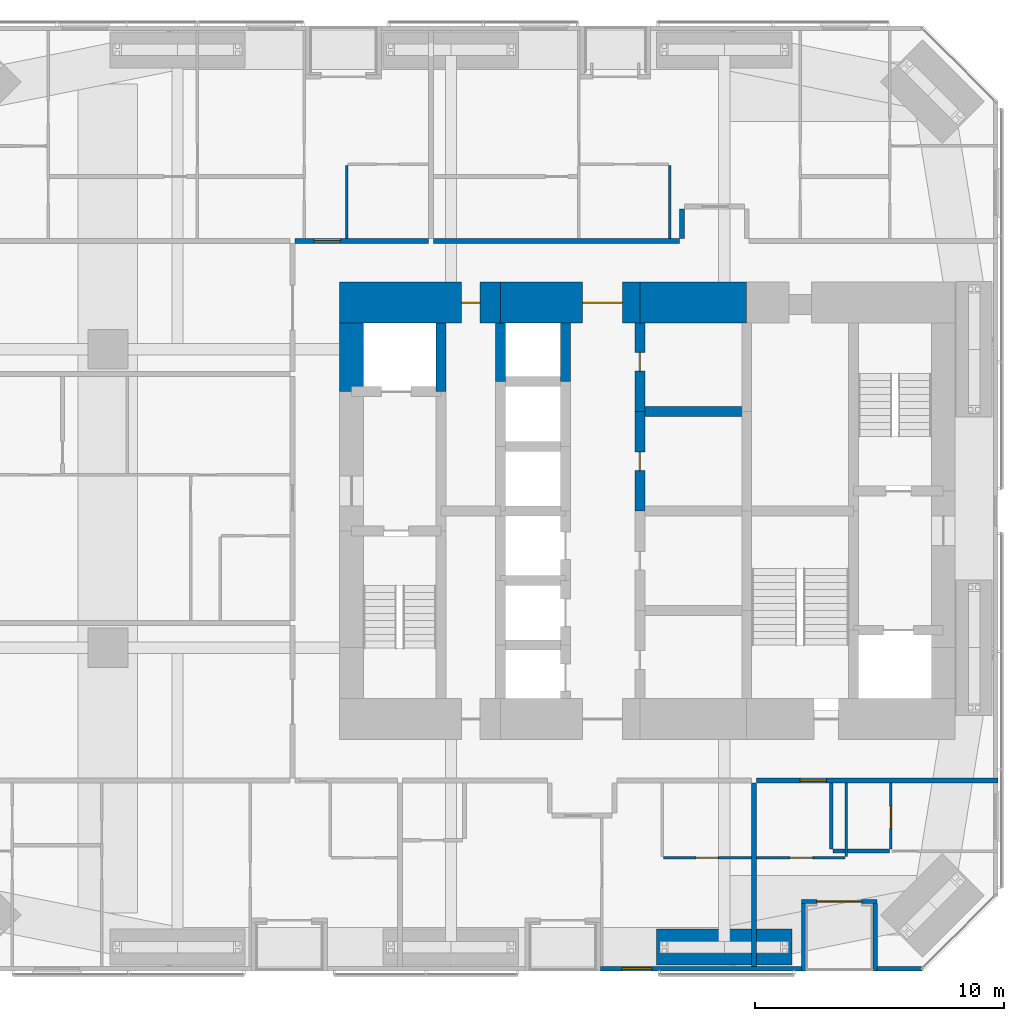
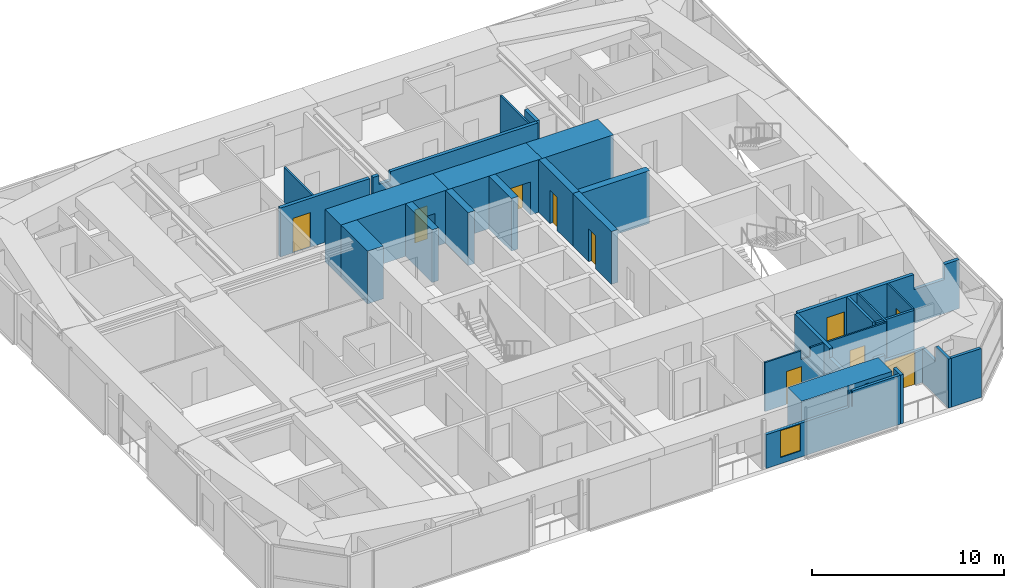
# One storey, part 19 of 23: 30 walls, 10 doors, 1 window, 11 openings.
"""IFC4 building model written with IfcOpenShell, lengths in metres."""

from ifc_helpers import new_model, si_unit, direction, frame, frame_2d, origin, place, context, subcontext, project, spatial, polyline, rectangle, outline, extrude, material, layer, layer_set, constituent, constituent_set, type_object, element, fill, save


model = new_model("IFC4")

# Units and contexts
model_context = context("Model", 3, precision=1e-05, world=origin(), true_north=direction((0.0, 1.0)))
body_context = subcontext(model_context, "Body", "Model", "MODEL_VIEW")
ifc_project = project(units=[si_unit("LENGTHUNIT", "METRE"), si_unit("AREAUNIT", "SQUARE_METRE"), si_unit("VOLUMEUNIT", "CUBIC_METRE"), si_unit("PLANEANGLEUNIT", "RADIAN"), si_unit("MASSUNIT", "GRAM", prefix="KILO")], contexts=[model_context])

# Site, building, storey
site_placement = place(None, origin())
site = spatial("IfcSite", under=ifc_project, at=site_placement, CompositionType="ELEMENT")
building_placement = place(site_placement, origin())
building = spatial("IfcBuilding", under=site, at=building_placement, Name="Jalousie Tower", CompositionType="ELEMENT")
storey_placement = place(building_placement, frame((0.0, 0.0, 41.10009765625)))
storey = spatial("IfcBuildingStorey", under=building, at=storey_placement, Name="L10", CompositionType="ELEMENT", Elevation=41.10009765625)

# Walls
ifc_material_1 = material(Name="Concrete block ASTM C90", Category="concrete")
ifc_constituent_1 = constituent(ifc_material_1, Name="Body")
ifc_material_2 = material(Name="Render")
ifc_constituent_2 = constituent(ifc_material_2, Name="Finish")
ifc_constituent_set_1 = constituent_set(constituents=[ifc_constituent_1, ifc_constituent_2])
wall_type_1 = type_object("IfcWallType", Name="BATHROOM WALL 150", PredefinedType="PLUMBINGWALL", material=ifc_constituent_set_1)
wall_1_placement = place(storey_placement, frame((39.375, 4.8173828125, 0.0), z_axis=(0.0, 0.0, 1.0), x_axis=(1.0, 0.0, 0.0)))
element("IfcWall", 1, at=wall_1_placement, inside=storey, type_object=wall_type_1, Name="Bathroom Wall 150 L10", PredefinedType="PLUMBINGWALL", context=body_context, shape_type="SweptSolid", body=[
    extrude(rectangle(XDim=2.27490234375, YDim=0.14990234375, at=frame_2d((1.137451171875, 0.0))), origin(), (0.0, 0.0, 1.0), 3.10986328125),
])
wall_2_placement = place(storey_placement, frame((39.300048828125, 4.892333984375, 0.0), z_axis=(0.0, 0.0, 1.0), x_axis=(0.0, 1.0, 0.0)))
element("IfcWall", 2, at=wall_2_placement, inside=storey, type_object=wall_type_1, Name="Bathroom Wall 150 L10", PredefinedType="PLUMBINGWALL", context=body_context, shape_type="SweptSolid", body=[
    extrude(rectangle(XDim=2.65771484375, YDim=0.14990234375, at=frame_2d((1.328857421875, 0.0))), origin(), (0.0, 0.0, 1.0), 3.10986328125),
])
ifc_material_3 = material(Name="Concrete f'c 120 MPa", Category="concrete")
ifc_layer_1 = layer(ifc_material_3, 1.64990234375)
ifc_layer_set_1 = layer_set([ifc_layer_1], Name="Concrete f'c 120 MPa")
wall_type_2 = type_object("IfcWallType", Name="CORE WALL 1650", PredefinedType="SHEAR", material=ifc_layer_set_1)
wall_3_placement = place(storey_placement, frame((35.89990234375, 26.875, 0.0), z_axis=(0.0, 0.0, 1.0), x_axis=(-1.0, 0.0, 0.0)))
element("IfcWall", 3, at=wall_3_placement, inside=storey, type_object=wall_type_2, Name="Core wall NB L10", PredefinedType="SHEAR", context=body_context, shape_type="SweptSolid", body=[
    extrude(rectangle(XDim=4.2998046875, YDim=1.64990234375, at=frame_2d((2.14990234375, 0.0))), origin(), (0.0, 0.0, 1.0), 3.349853515625),
])

# Wall, opening, door
wall_4_placement = place(storey_placement, frame((31.60009765625, 26.875, 0.0), z_axis=(0.0, 0.0, 1.0), x_axis=(-1.0, 0.0, 0.0)))
wall_4 = element("IfcWall", 4, at=wall_4_placement, inside=storey, type_object=wall_type_2, Name="Core wall NC L10", PredefinedType="SHEAR", context=body_context, shape_type="SweptSolid", body=[
    extrude(rectangle(XDim=5.60009765625, YDim=1.64990234375, at=frame_2d((2.800048828125, 0.0))), origin(), (0.0, 0.0, 1.0), 3.349853515625),
])
opening_1_placement = place(wall_4_placement, frame((0.699951171875, 0.0, 0.0)))
opening_1 = element("IfcOpeningElement", 5, at=opening_1_placement, cuts=wall_4, Name="Opening D15", PredefinedType="OPENING", context=body_context, shape_type="SweptSolid", body=[
    extrude(rectangle(XDim=1.60009765625, YDim=2.10009765625, at=frame_2d((0.800048828125, 1.050048828125))), frame((0.0, 0.8349609375, 0.0), z_axis=(0.0, -1.0, 0.0), x_axis=(1.0, 0.0, 0.0)), (0.0, 0.0, 1.0), 1.669921875),
])
ifc_material_4 = material(Name="Steel fire door", Category="steel")
door_type_1 = type_object("IfcDoorType", Name="LIFT LOBBY DOOR 1600", OperationType="DOUBLE_DOOR_SINGLE_SWING", PredefinedType="DOOR", material=ifc_material_4)
door_1_placement = place(opening_1_placement, origin())
door_1 = element("IfcDoor", 6, at=door_1_placement, inside=storey, type_object=door_type_1, Name="Lift lobby north door", OperationType="DOUBLE_DOOR_SINGLE_SWING", OverallHeight=2.10009765625, OverallWidth=1.60009765625, PredefinedType="DOOR", context=body_context, shape_type="SweptSolid", body=[
    extrude(rectangle(XDim=1.60009765625, YDim=2.10009765625, at=frame_2d((0.800048828125, 1.050048828125))), frame((0.0, 0.02490234375, 0.0), z_axis=(0.0, -1.0, 0.0), x_axis=(1.0, 0.0, 0.0)), (0.0, 0.0, 1.0), 0.050048828125),
])
fill(opening_1, door_1)

wall_5_placement = place(storey_placement, frame((26.0, 26.875, 0.0), z_axis=(0.0, 0.0, 1.0), x_axis=(-1.0, 0.0, 0.0)))
wall_5 = element("IfcWall", 7, at=wall_5_placement, inside=storey, type_object=wall_type_2, Name="Core wall ND L10", PredefinedType="SHEAR", context=body_context, shape_type="SweptSolid", body=[
    extrude(rectangle(XDim=6.47509765625, YDim=1.64990234375, at=frame_2d((3.237548828125, 0.0))), origin(), (0.0, 0.0, 1.0), 3.349853515625),
])
opening_2_placement = place(wall_5_placement, frame((0.824951171875, 0.0, 0.0)))
opening_2 = element("IfcOpeningElement", 8, at=opening_2_placement, cuts=wall_5, Name="Opening D16", PredefinedType="OPENING", context=body_context, shape_type="SweptSolid", body=[
    extrude(rectangle(XDim=0.75, YDim=2.10009765625, at=frame_2d((0.375, 1.050048828125))), frame((0.0, 0.8349609375, 0.0), z_axis=(0.0, -1.0, 0.0), x_axis=(1.0, 0.0, 0.0)), (0.0, 0.0, 1.0), 1.669921875),
])
ifc_material_5 = material(Name="Steel fire door", Category="steel")
door_type_2 = type_object("IfcDoorType", Name="RISER DOOR 750", OperationType="SINGLE_SWING_LEFT", PredefinedType="DOOR", material=ifc_material_5)
door_2_placement = place(opening_2_placement, origin())
door_2 = element("IfcDoor", 9, at=door_2_placement, inside=storey, type_object=door_type_2, Name="North riser door", OperationType="SINGLE_SWING_RIGHT", OverallHeight=2.10009765625, OverallWidth=0.75, PredefinedType="DOOR", context=body_context, shape_type="SweptSolid", body=[
    extrude(rectangle(XDim=0.75, YDim=2.10009765625, at=frame_2d((0.375, 1.050048828125))), frame((0.0, 0.02490234375, 0.0), z_axis=(0.0, -1.0, 0.0), x_axis=(1.0, 0.0, 0.0)), (0.0, 0.0, 1.0), 0.050048828125),
])
fill(opening_2, door_2)

# Walls
ifc_material_6 = material(Name="Concrete f'c 120 MPa", Category="concrete")
ifc_layer_2 = layer(ifc_material_6, 0.39990234375)
ifc_layer_set_2 = layer_set([ifc_layer_2], Name="Concrete f'c 120 MPa")
wall_type_3 = type_object("IfcWallType", Name="CORE WALL 400", PredefinedType="SHEAR", material=ifc_layer_set_2)
wall_6_placement = place(storey_placement, frame((23.60009765625, 23.300048828125, 0.0), z_axis=(0.0, 0.0, 1.0), x_axis=(0.0, 1.0, 0.0)))
element("IfcWall", 10, at=wall_6_placement, inside=storey, type_object=wall_type_3, Name="Core wall X23.6C L10", PredefinedType="SHEAR", context=body_context, shape_type="SweptSolid", body=[
    extrude(rectangle(XDim=2.75, YDim=0.39990234375, at=frame_2d((1.375, 0.0))), origin(), (0.0, 0.0, 1.0), 3.349853515625),
])
for number, where, z_axis, x_axis, name in (
    (11, (26.0, 23.699951171875, 0.0), (0.0, 0.0, 1.0), (0.0, 1.0, 0.0), "Core wall X26F L10"),
    (12, (28.60009765625, 23.699951171875, 0.0), (0.0, 0.0, 1.0), (0.0, 1.0, 0.0), "Core wall X28.6F L10"),
):
    element("IfcWall", number, at=place(storey_placement, frame(where, z_axis=z_axis, x_axis=x_axis)), inside=storey, type_object=wall_type_3, Name=name, PredefinedType="SHEAR", context=body_context, shape_type="SweptSolid", body=[
        extrude(rectangle(XDim=2.35009765625, YDim=0.39990234375, at=frame_2d((1.175048828125, 0.0))), origin(), (0.0, 0.0, 1.0), 3.349853515625),
    ])

# Wall, opening, door
wall_7_placement = place(storey_placement, frame((31.60009765625, 18.5, 0.0), z_axis=(0.0, 0.0, 1.0), x_axis=(0.0, 1.0, 0.0)))
wall_7 = element("IfcWall", 13, at=wall_7_placement, inside=storey, type_object=wall_type_3, Name="Core wall X31.6C L10", PredefinedType="SHEAR", context=body_context, shape_type="SweptSolid", body=[
    extrude(rectangle(XDim=4.0, YDim=0.39990234375, at=frame_2d((2.0, 0.0))), origin(), (0.0, 0.0, 1.0), 3.349853515625),
])
opening_3_placement = place(wall_7_placement, frame((1.625, 0.0, 0.0)))
opening_3 = element("IfcOpeningElement", 14, at=opening_3_placement, cuts=wall_7, Name="Opening D16", PredefinedType="OPENING", context=body_context, shape_type="SweptSolid", body=[
    extrude(rectangle(XDim=0.75, YDim=2.10009765625, at=frame_2d((0.375, 1.050048828125))), frame((0.0, 0.2099609375, 0.0), z_axis=(0.0, -1.0, 0.0), x_axis=(1.0, 0.0, 0.0)), (0.0, 0.0, 1.0), 0.419921875),
])
door_3_placement = place(opening_3_placement, frame((0.75, 0.0, 0.0), z_axis=(0.0, 0.0, 1.0), x_axis=(-1.0, 0.0, 0.0)))
door_3 = element("IfcDoor", 15, at=door_3_placement, inside=storey, type_object=door_type_2, Name="Telecom Room door", OperationType="SINGLE_SWING_LEFT", OverallHeight=2.10009765625, OverallWidth=0.75, PredefinedType="DOOR", context=body_context, shape_type="SweptSolid", body=[
    extrude(rectangle(XDim=0.75, YDim=2.10009765625, at=frame_2d((0.375, 1.050048828125))), frame((0.0, 0.02490234375, 0.0), z_axis=(0.0, -1.0, 0.0), x_axis=(1.0, 0.0, 0.0)), (0.0, 0.0, 1.0), 0.050048828125),
])
fill(opening_3, door_3)

wall_8_placement = place(storey_placement, frame((31.60009765625, 22.5, 0.0), z_axis=(0.0, 0.0, 1.0), x_axis=(0.0, 1.0, 0.0)))
wall_8 = element("IfcWall", 16, at=wall_8_placement, inside=storey, type_object=wall_type_3, Name="Core wall X31.6D L10", PredefinedType="SHEAR", context=body_context, shape_type="SweptSolid", body=[
    extrude(rectangle(XDim=3.550048828125, YDim=0.39990234375, at=frame_2d((1.77490234375, 0.0))), origin(), (0.0, 0.0, 1.0), 3.349853515625),
])
opening_4_placement = place(wall_8_placement, frame((1.625, 0.0, 0.0)))
opening_4 = element("IfcOpeningElement", 17, at=opening_4_placement, cuts=wall_8, Name="Opening D16", PredefinedType="OPENING", context=body_context, shape_type="SweptSolid", body=[
    extrude(rectangle(XDim=0.75, YDim=2.10009765625, at=frame_2d((0.375, 1.050048828125))), frame((0.0, 0.2099609375, 0.0), z_axis=(0.0, -1.0, 0.0), x_axis=(1.0, 0.0, 0.0)), (0.0, 0.0, 1.0), 0.419921875),
])
door_4_placement = place(opening_4_placement, frame((0.75, 0.0, 0.0), z_axis=(0.0, 0.0, 1.0), x_axis=(-1.0, 0.0, 0.0)))
door_4 = element("IfcDoor", 18, at=door_4_placement, inside=storey, type_object=door_type_2, Name="Water Services Room door", OperationType="SINGLE_SWING_LEFT", OverallHeight=2.10009765625, OverallWidth=0.75, PredefinedType="DOOR", context=body_context, shape_type="SweptSolid", body=[
    extrude(rectangle(XDim=0.75, YDim=2.10009765625, at=frame_2d((0.375, 1.050048828125))), frame((0.0, 0.02490234375, 0.0), z_axis=(0.0, -1.0, 0.0), x_axis=(1.0, 0.0, 0.0)), (0.0, 0.0, 1.0), 0.050048828125),
])
fill(opening_4, door_4)

# Walls
wall_9_placement = place(storey_placement, frame((31.60009765625, 22.5, 0.0), z_axis=(0.0, 0.0, 1.0), x_axis=(1.0, 0.0, 0.0)))
element("IfcWall", 19, at=wall_9_placement, inside=storey, type_object=wall_type_3, Name="Core wall Y31.6-22.5 L10", PredefinedType="SHEAR", context=body_context, shape_type="SweptSolid", body=[
    extrude(rectangle(XDim=4.2998046875, YDim=0.39990234375, at=frame_2d((2.14990234375, 0.0))), origin(), (0.0, 0.0, 1.0), 3.349853515625),
])
ifc_material_7 = material(Name="Concrete f'c 120 MPa", Category="concrete")
ifc_layer_3 = layer(ifc_material_7, 0.949951171875)
ifc_layer_set_3 = layer_set([ifc_layer_3], Name="Concrete f'c 120 MPa")
wall_type_4 = type_object("IfcWallType", Name="CORE WALL 950", PredefinedType="SHEAR", material=ifc_layer_set_3)
wall_10_placement = place(storey_placement, frame((20.0, 26.050048828125, 0.0), z_axis=(0.0, 0.0, 1.0), x_axis=(0.0, -1.0, 0.0)))
element("IfcWall", 20, at=wall_10_placement, inside=storey, type_object=wall_type_4, Name="Core wall WA L10", PredefinedType="SHEAR", context=body_context, shape_type="SweptSolid", body=[
    extrude(rectangle(XDim=2.75, YDim=0.949951171875, at=frame_2d((1.375, 0.0))), origin(), (0.0, 0.0, 1.0), 3.349853515625),
])

# Wall, opening, door
ifc_material_8 = material(Name="Concrete block ASTM C90", Category="concrete")
ifc_constituent_3 = constituent(ifc_material_8, Name="Body")
ifc_material_9 = material(Name="Render")
ifc_constituent_4 = constituent(ifc_material_9, Name="Finish")
ifc_constituent_set_2 = constituent_set(constituents=[ifc_constituent_3, ifc_constituent_4])
wall_type_5 = type_object("IfcWallType", Name="CORRIDOR WALL 200", PredefinedType="PARTITIONING", material=ifc_constituent_set_2)
wall_11_placement = place(storey_placement, frame((36.300048828125, 7.64990234375, 0.0), z_axis=(0.0, 0.0, 1.0), x_axis=(1.0, 0.0, 0.0)))
wall_11 = element("IfcWall", 21, at=wall_11_placement, inside=storey, type_object=wall_type_5, Name="Corridor Wall 200 L10", PredefinedType="PARTITIONING", context=body_context, shape_type="SweptSolid", body=[
    extrude(outline(polyline([(0.0, 0.0), (9.699951171875, 0.0), (9.699951171875, 3.10986328125), (8.80419921875, 3.10986328125), (8.80419921875, 2.14990234375), (6.96044921875, 2.14990234375), (6.96044921875, 3.10986328125), (0.0, 3.10986328125), (0.0, 0.0)])), frame((0.0, 0.10009765625, 0.0), z_axis=(0.0, -1.0, 0.0), x_axis=(1.0, 0.0, 0.0)), (0.0, 0.0, 1.0), 0.199951171875),
])
opening_5_placement = place(wall_11_placement, frame((1.75, 0.0, 0.0)))
opening_5 = element("IfcOpeningElement", 22, at=opening_5_placement, cuts=wall_11, Name="Opening D1", PredefinedType="OPENING", context=body_context, shape_type="SweptSolid", body=[
    extrude(rectangle(XDim=1.050048828125, YDim=2.199951171875, at=frame_2d((0.52490234375, 1.10009765625))), frame((0.0, 0.10986328125, 0.0), z_axis=(0.0, -1.0, 0.0), x_axis=(1.0, 0.0, 0.0)), (0.0, 0.0, 1.0), 0.219970703125),
])
ifc_material_10 = material(Name="Timber fire door", Category="wood")
door_type_3 = type_object("IfcDoorType", Name="APARTMENT ENTRANCE DOOR 1050", OperationType="SINGLE_SWING_LEFT", PredefinedType="DOOR", material=ifc_material_10)
door_5_placement = place(opening_5_placement, frame((1.050048828125, 0.0, 0.0), z_axis=(0.0, 0.0, 1.0), x_axis=(-1.0, 0.0, 0.0)))
door_5 = element("IfcDoor", 23, at=door_5_placement, inside=storey, type_object=door_type_3, Name="Apartment 1003 entrance", OperationType="SINGLE_SWING_LEFT", OverallHeight=2.199951171875, OverallWidth=1.050048828125, PredefinedType="DOOR", context=body_context, shape_type="SweptSolid", body=[
    extrude(rectangle(XDim=1.050048828125, YDim=2.199951171875, at=frame_2d((0.52490234375, 1.10009765625))), frame((0.0, 0.02490234375, 0.0), z_axis=(0.0, -1.0, 0.0), x_axis=(1.0, 0.0, 0.0)), (0.0, 0.0, 1.0), 0.050048828125),
])
fill(opening_5, door_5)

wall_12_placement = place(storey_placement, frame((17.72509765625, 29.35009765625, 0.0), z_axis=(0.0, 0.0, 1.0), x_axis=(1.0, 0.0, 0.0)))
wall_12 = element("IfcWall", 24, at=wall_12_placement, inside=storey, type_object=wall_type_5, Name="Corridor Wall 200 L10", PredefinedType="PARTITIONING", context=body_context, shape_type="SweptSolid", body=[
    extrude(rectangle(XDim=5.375, YDim=0.199951171875, at=frame_2d((2.6875, 0.0))), origin(), (0.0, 0.0, 1.0), 3.10986328125),
])
opening_6_placement = place(wall_12_placement, frame((0.77490234375, 0.0, 0.0)))
opening_6 = element("IfcOpeningElement", 25, at=opening_6_placement, cuts=wall_12, Name="Opening D1", PredefinedType="OPENING", context=body_context, shape_type="SweptSolid", body=[
    extrude(rectangle(XDim=1.050048828125, YDim=2.199951171875, at=frame_2d((0.52490234375, 1.10009765625))), frame((0.0, 0.10986328125, 0.0), z_axis=(0.0, -1.0, 0.0), x_axis=(1.0, 0.0, 0.0)), (0.0, 0.0, 1.0), 0.219970703125),
])
door_6_placement = place(opening_6_placement, origin())
door_6 = element("IfcDoor", 26, at=door_6_placement, inside=storey, type_object=door_type_3, Name="Apartment 1004 entrance", OperationType="SINGLE_SWING_RIGHT", OverallHeight=2.199951171875, OverallWidth=1.050048828125, PredefinedType="DOOR", context=body_context, shape_type="SweptSolid", body=[
    extrude(rectangle(XDim=1.050048828125, YDim=2.199951171875, at=frame_2d((0.52490234375, 1.10009765625))), frame((0.0, 0.02490234375, 0.0), z_axis=(0.0, -1.0, 0.0), x_axis=(1.0, 0.0, 0.0)), (0.0, 0.0, 1.0), 0.050048828125),
])
fill(opening_6, door_6)

# Walls
wall_13_placement = place(storey_placement, frame((23.300048828125, 29.35009765625, 0.0), z_axis=(0.0, 0.0, 1.0), x_axis=(1.0, 0.0, 0.0)))
element("IfcWall", 27, at=wall_13_placement, inside=storey, type_object=wall_type_5, Name="Corridor Wall 200 L10", PredefinedType="PARTITIONING", context=body_context, shape_type="SweptSolid", body=[
    extrude(outline(polyline([(0.0, 0.0), (9.89990234375, 0.0), (9.89990234375, 3.10986328125), (1.037353515625, 3.10986328125), (1.037353515625, 2.541015625), (0.362548828125, 2.541015625), (0.362548828125, 3.10986328125), (0.0, 3.10986328125), (0.0, 0.0)])), frame((0.0, 0.10009765625, 0.0), z_axis=(0.0, -1.0, 0.0), x_axis=(1.0, 0.0, 0.0)), (0.0, 0.0, 1.0), 0.199951171875),
])
wall_14_placement = place(storey_placement, frame((33.300048828125, 29.449951171875, 0.0), z_axis=(0.0, 0.0, 1.0), x_axis=(0.0, 1.0, 0.0)))
element("IfcWall", 28, at=wall_14_placement, inside=storey, type_object=wall_type_5, Name="Corridor Wall 200 L10", PredefinedType="PARTITIONING", context=body_context, shape_type="SweptSolid", body=[
    extrude(rectangle(XDim=1.199951171875, YDim=0.199951171875, at=frame_2d((0.60009765625, 0.0))), origin(), (0.0, 0.0, 1.0), 3.10986328125),
])

# Wall, opening, window
ifc_material_11 = material(Name="Concrete f'c 40 MPa", Category="concrete")
ifc_constituent_5 = constituent(ifc_material_11, Name="Body")
ifc_material_12 = material(Name="Render, pastel coral")
ifc_constituent_6 = constituent(ifc_material_12, Name="Finish")
ifc_constituent_set_3 = constituent_set(constituents=[ifc_constituent_5, ifc_constituent_6])
wall_type_6 = type_object("IfcWallType", Name="EXTERNAL WALL 175 CORAL RENDER", PredefinedType="SOLIDWALL", material=ifc_constituent_set_3)
wall_15_placement = place(storey_placement, frame((30.02490234375, 0.08740234375, 0.0), z_axis=(0.0, 0.0, 1.0), x_axis=(1.0, 0.0, 0.0)))
wall_15 = element("IfcWall", 29, at=wall_15_placement, inside=storey, type_object=wall_type_6, Name="External Wall 175 Coral Render L10", PredefinedType="SOLIDWALL", context=body_context, shape_type="SweptSolid", body=[
    extrude(outline(polyline([(0.0, 0.0), (8.0751953125, 0.0), (8.074951171875, 3.10986328125), (5.178955078125, 3.10986328125), (5.178955078125, 2.14990234375), (5.130615234375, 2.14990234375), (5.130615234375, 3.10986328125), (4.97509765625, 3.10986328125), (4.97509765625, 2.14990234375), (0.0, 2.14990234375), (0.0, 0.0)])), frame((0.0, 0.08740234375, 0.0), z_axis=(0.0, -1.0, 0.0), x_axis=(1.0, 0.0, 0.0)), (0.0, 0.0, 1.0), 0.175048828125),
])
opening_7_placement = place(wall_15_placement, frame((0.857421875, 0.0, 0.39990234375)))
opening_7 = element("IfcOpeningElement", 30, at=opening_7_placement, cuts=wall_15, Name="Opening W-COR170", PredefinedType="OPENING", context=body_context, shape_type="SweptSolid", body=[
    extrude(rectangle(XDim=1.199951171875, YDim=1.699951171875, at=frame_2d((0.60009765625, 0.85009765625))), frame((0.0, 0.097412109375, 0.0), z_axis=(0.0, -1.0, 0.0), x_axis=(1.0, 0.0, 0.0)), (0.0, 0.0, 1.0), 0.195068359375),
])
ifc_material_13 = material(Name="Aluminium frame, impact-rated glazing", Category="aluminium")
window_type = type_object("IfcWindowType", Name="WINDOW COR 1200x1700", PartitioningType="SINGLE_PANEL", PredefinedType="WINDOW", material=ifc_material_13)
window_placement = place(opening_7_placement, origin())
window = element("IfcWindow", 31, at=window_placement, inside=storey, type_object=window_type, Name="Apartment 1002 dining room window", OverallHeight=1.699951171875, OverallWidth=1.199951171875, PartitioningType="SINGLE_PANEL", PredefinedType="WINDOW", context=body_context, shape_type="SweptSolid", body=[
    extrude(rectangle(XDim=1.199951171875, YDim=1.699951171875, at=frame_2d((0.60009765625, 0.85009765625))), frame((0.0, 0.030029296875, 0.0), z_axis=(0.0, -1.0, 0.0), x_axis=(1.0, 0.0, 0.0)), (0.0, 0.0, 1.0), 0.06005859375),
])
fill(opening_7, window)

# Walls
wall_16_placement = place(storey_placement, frame((41.14990234375, 0.08740234375, 0.0), z_axis=(0.0, 0.0, 1.0), x_axis=(1.0, 0.0, 0.0)))
element("IfcWall", 32, at=wall_16_placement, inside=storey, type_object=wall_type_6, Name="External Wall 175 Coral Render L10", PredefinedType="SOLIDWALL", context=body_context, shape_type="SweptSolid", body=[
    extrude(rectangle(XDim=1.798828125, YDim=0.175048828125, at=frame_2d((0.8994140625, 0.0))), origin(), (0.0, 0.0, 1.0), 3.10986328125),
])
wall_17_placement = place(storey_placement, frame((38.10009765625, 2.78759765625, 0.0), z_axis=(0.0, 0.0, 1.0), x_axis=(1.0, 0.0, 0.0)))
element("IfcWall", 33, at=wall_17_placement, inside=storey, type_object=wall_type_6, Name="External Wall 175 Coral Render L10-A", PredefinedType="SOLIDWALL", context=body_context, shape_type="SweptSolid", body=[
    extrude(rectangle(XDim=0.625, YDim=0.175048828125, at=frame_2d((0.3125, 0.0))), origin(), (0.0, 0.0, 1.0), 2.510009765625),
])

# Wall, opening, door
wall_18_placement = place(storey_placement, frame((38.72509765625, 2.78759765625, 0.0), z_axis=(0.0, 0.0, 1.0), x_axis=(1.0, 0.0, 0.0)))
wall_18 = element("IfcWall", 34, at=wall_18_placement, inside=storey, type_object=wall_type_6, Name="External Wall 175 Coral Render L10-B", PredefinedType="SOLIDWALL", context=body_context, shape_type="SweptSolid", body=[
    extrude(rectangle(XDim=2.4248046875, YDim=0.175048828125, at=frame_2d((1.21240234375, 0.0))), origin(), (0.0, 0.0, 1.0), 2.14990234375),
])
opening_8_placement = place(wall_18_placement, origin())
opening_8 = element("IfcOpeningElement", 35, at=opening_8_placement, cuts=wall_18, Name="Opening D-BAL21", PredefinedType="OPENING", context=body_context, shape_type="SweptSolid", body=[
    extrude(rectangle(XDim=1.800048828125, YDim=2.10009765625, at=frame_2d((0.89990234375, 1.050048828125))), frame((0.0, 0.097412109375, 0.0), z_axis=(0.0, -1.0, 0.0), x_axis=(1.0, 0.0, 0.0)), (0.0, 0.0, 1.0), 0.195068359375),
])
ifc_material_14 = material(Name="Aluminium frame, impact-rated glazing", Category="aluminium")
door_type_4 = type_object("IfcDoorType", Name="BALCONY DOOR 1800x2100", OperationType="SLIDING_TO_LEFT", PredefinedType="DOOR", material=ifc_material_14)
door_7_placement = place(opening_8_placement, origin())
door_7 = element("IfcDoor", 36, at=door_7_placement, inside=storey, type_object=door_type_4, Name="Apartment 1003 living and dining room loggia door", OperationType="SLIDING_TO_LEFT", OverallHeight=2.10009765625, OverallWidth=1.800048828125, PredefinedType="DOOR", context=body_context, shape_type="SweptSolid", body=[
    extrude(rectangle(XDim=1.800048828125, YDim=2.10009765625, at=frame_2d((0.89990234375, 1.050048828125))), frame((0.0, 0.02490234375, 0.0), z_axis=(0.0, -1.0, 0.0), x_axis=(1.0, 0.0, 0.0)), (0.0, 0.0, 1.0), 0.050048828125),
])
fill(opening_8, door_7)

# Walls
wall_19_placement = place(storey_placement, frame((38.1875, 0.0, 0.0), z_axis=(0.0, 0.0, 1.0), x_axis=(0.0, 1.0, 0.0)))
element("IfcWall", 37, at=wall_19_placement, inside=storey, type_object=wall_type_6, Name="External Wall 175 Coral Render L10", PredefinedType="SOLIDWALL", context=body_context, shape_type="SweptSolid", body=[
    extrude(outline(polyline([(0.0, 0.0), (2.699951171875, 0.0), (2.699951171875, 2.510009765625), (2.424072265625, 2.510009765625), (2.424072265625, 2.14990234375), (0.7568359375, 2.14990234375), (0.7568359375, 3.10986328125), (0.0, 3.10986328125), (0.0, 0.0)])), frame((0.0, 0.08740234375, 0.0), z_axis=(0.0, -1.0, 0.0), x_axis=(1.0, 0.0, 0.0)), (0.0, 0.0, 1.0), 0.175048828125),
])
wall_20_placement = place(storey_placement, frame((41.0625, 0.0, 0.0), z_axis=(0.0, 0.0, 1.0), x_axis=(0.0, 1.0, 0.0)))
element("IfcWall", 38, at=wall_20_placement, inside=storey, type_object=wall_type_6, Name="External Wall 175 Coral Render L10", PredefinedType="SOLIDWALL", context=body_context, shape_type="SweptSolid", body=[
    extrude(outline(polyline([(0.0, 0.0), (2.699951171875, 0.0), (2.699951171875, 2.14990234375), (1.33447265625, 2.14990234375), (1.33447265625, 3.10986328125), (0.0, 3.10986328125), (0.0, 0.0)])), frame((0.0, 0.08740234375, 0.0), z_axis=(0.0, -1.0, 0.0), x_axis=(1.0, 0.0, 0.0)), (0.0, 0.0, 1.0), 0.175048828125),
])

# Wall, opening, door
ifc_material_15 = material(Name="Gypsum board", Category="gypsum")
ifc_constituent_7 = constituent(ifc_material_15, Name="Body")
ifc_material_16 = material(Name="Light-gauge steel studs ASTM A653 SS Grade 33", Category="steel")
ifc_constituent_8 = constituent(ifc_material_16, Name="Framing")
ifc_constituent_set_4 = constituent_set(constituents=[ifc_constituent_7, ifc_constituent_8])
wall_type_7 = type_object("IfcWallType", Name="PARTITION 100", PredefinedType="PARTITIONING", material=ifc_constituent_set_4)
wall_21_placement = place(storey_placement, frame((32.550048828125, 4.550048828125, 0.0), z_axis=(0.0, 0.0, 1.0), x_axis=(1.0, 0.0, 0.0)))
wall_21 = element("IfcWall", 39, at=wall_21_placement, inside=storey, type_object=wall_type_7, Name="Partition 100 L10", PredefinedType="PARTITIONING", context=body_context, shape_type="SweptSolid", body=[
    extrude(outline(polyline([(0.0, 0.0), (3.550048828125, 0.0), (3.550048828125, 3.10986328125), (2.7373046875, 3.10986328125), (2.7373046875, 2.541015625), (2.16259765625, 2.541015625), (2.16259765625, 3.10986328125), (0.0, 3.10986328125), (0.0, 0.0)])), frame((0.0, 0.050048828125, 0.0), z_axis=(0.0, -1.0, 0.0), x_axis=(1.0, 0.0, 0.0)), (0.0, 0.0, 1.0), 0.10009765625),
])
opening_9_placement = place(wall_21_placement, frame((1.300048828125, 0.0, 0.0)))
opening_9 = element("IfcOpeningElement", 40, at=opening_9_placement, cuts=wall_21, Name="Opening D7", PredefinedType="OPENING", context=body_context, shape_type="SweptSolid", body=[
    extrude(rectangle(XDim=0.89990234375, YDim=2.10009765625, at=frame_2d((0.449951171875, 1.050048828125))), frame((0.0, 0.06005859375, 0.0), z_axis=(0.0, -1.0, 0.0), x_axis=(1.0, 0.0, 0.0)), (0.0, 0.0, 1.0), 0.1201171875),
])
ifc_material_17 = material(Name="Timber door", Category="wood")
door_type_5 = type_object("IfcDoorType", Name="INTERNAL DOOR 900", OperationType="SINGLE_SWING_LEFT", PredefinedType="DOOR", material=ifc_material_17)
door_8_placement = place(opening_9_placement, frame((0.89990234375, 0.0, 0.0), z_axis=(0.0, 0.0, 1.0), x_axis=(-1.0, 0.0, 0.0)))
door_8 = element("IfcDoor", 41, at=door_8_placement, inside=storey, type_object=door_type_5, Name="Apartment 1002 kitchen door", OperationType="SINGLE_SWING_LEFT", OverallHeight=2.10009765625, OverallWidth=0.89990234375, PredefinedType="DOOR", context=body_context, shape_type="SweptSolid", body=[
    extrude(rectangle(XDim=0.89990234375, YDim=2.10009765625, at=frame_2d((0.449951171875, 1.050048828125))), frame((0.0, 0.02490234375, 0.0), z_axis=(0.0, -1.0, 0.0), x_axis=(1.0, 0.0, 0.0)), (0.0, 0.0, 1.0), 0.050048828125),
])
fill(opening_9, door_8)

wall_22_placement = place(storey_placement, frame((41.699951171875, 4.892333984375, 0.0), z_axis=(0.0, 0.0, 1.0), x_axis=(0.0, 1.0, 0.0)))
wall_22 = element("IfcWall", 42, at=wall_22_placement, inside=storey, type_object=wall_type_7, Name="Partition 100 L10", PredefinedType="PARTITIONING", context=body_context, shape_type="SweptSolid", body=[
    extrude(rectangle(XDim=2.65771484375, YDim=0.10009765625, at=frame_2d((1.328857421875, 0.0))), origin(), (0.0, 0.0, 1.0), 3.10986328125),
])
opening_10_placement = place(wall_22_placement, frame((0.84130859375, 0.0, 0.0)))
opening_10 = element("IfcOpeningElement", 43, at=opening_10_placement, cuts=wall_22, Name="Opening D3", PredefinedType="OPENING", context=body_context, shape_type="SweptSolid", body=[
    extrude(rectangle(XDim=0.89990234375, YDim=2.10009765625, at=frame_2d((0.449951171875, 1.050048828125))), frame((0.0, 0.06005859375, 0.0), z_axis=(0.0, -1.0, 0.0), x_axis=(1.0, 0.0, 0.0)), (0.0, 0.0, 1.0), 0.1201171875),
])
ifc_material_18 = material(Name="Timber door", Category="wood")
door_type_6 = type_object("IfcDoorType", Name="BATHROOM DOOR 900", OperationType="SINGLE_SWING_LEFT", PredefinedType="DOOR", material=ifc_material_18)
door_9_placement = place(opening_10_placement, origin())
door_9 = element("IfcDoor", 44, at=door_9_placement, inside=storey, type_object=door_type_6, Name="Apartment 1003 bedroom 1 bathroom door", OperationType="SINGLE_SWING_LEFT", OverallHeight=2.10009765625, OverallWidth=0.89990234375, PredefinedType="DOOR", context=body_context, shape_type="SweptSolid", body=[
    extrude(rectangle(XDim=0.89990234375, YDim=2.10009765625, at=frame_2d((0.449951171875, 1.050048828125))), frame((0.0, 0.02490234375, 0.0), z_axis=(0.0, -1.0, 0.0), x_axis=(1.0, 0.0, 0.0)), (0.0, 0.0, 1.0), 0.050048828125),
])
fill(opening_10, door_9)

wall_23_placement = place(storey_placement, frame((36.300048828125, 4.550048828125, 0.0), z_axis=(0.0, 0.0, 1.0), x_axis=(1.0, 0.0, 0.0)))
wall_23 = element("IfcWall", 45, at=wall_23_placement, inside=storey, type_object=wall_type_7, Name="Partition 100 L10", PredefinedType="PARTITIONING", context=body_context, shape_type="SweptSolid", body=[
    extrude(rectangle(XDim=3.550048828125, YDim=0.10009765625, at=frame_2d((1.77490234375, 0.0))), origin(), (0.0, 0.0, 1.0), 3.10986328125),
])
opening_11_placement = place(wall_23_placement, frame((1.35009765625, 0.0, 0.0)))
opening_11 = element("IfcOpeningElement", 46, at=opening_11_placement, cuts=wall_23, Name="Opening D7", PredefinedType="OPENING", context=body_context, shape_type="SweptSolid", body=[
    extrude(rectangle(XDim=0.89990234375, YDim=2.10009765625, at=frame_2d((0.449951171875, 1.050048828125))), frame((0.0, 0.06005859375, 0.0), z_axis=(0.0, -1.0, 0.0), x_axis=(1.0, 0.0, 0.0)), (0.0, 0.0, 1.0), 0.1201171875),
])
door_10_placement = place(opening_11_placement, frame((0.89990234375, 0.0, 0.0), z_axis=(0.0, 0.0, 1.0), x_axis=(-1.0, 0.0, 0.0)))
door_10 = element("IfcDoor", 47, at=door_10_placement, inside=storey, type_object=door_type_5, Name="Apartment 1003 kitchen door", OperationType="SINGLE_SWING_RIGHT", OverallHeight=2.10009765625, OverallWidth=0.89990234375, PredefinedType="DOOR", context=body_context, shape_type="SweptSolid", body=[
    extrude(rectangle(XDim=0.89990234375, YDim=2.10009765625, at=frame_2d((0.449951171875, 1.050048828125))), frame((0.0, 0.02490234375, 0.0), z_axis=(0.0, -1.0, 0.0), x_axis=(1.0, 0.0, 0.0)), (0.0, 0.0, 1.0), 0.050048828125),
])
fill(opening_11, door_10)

# Walls
for number, where, z_axis, x_axis, name in (
    (48, (39.89990234375, 4.60009765625, 0.0), (0.0, 0.0, 1.0), (0.0, 1.0, 0.0), "Partition 100 L10"),
    (49, (19.800048828125, 32.39990234375, 0.0), (0.0, 0.0, 1.0), (0.0, -1.0, 0.0), "Partition 100 L10"),
    (50, (32.800048828125, 32.39990234375, 0.0), (0.0, 0.0, 1.0), (0.0, -1.0, 0.0), "Partition 100 L10"),
):
    element("IfcWall", number, at=place(storey_placement, frame(where, z_axis=z_axis, x_axis=x_axis)), inside=storey, type_object=wall_type_7, Name=name, PredefinedType="PARTITIONING", context=body_context, shape_type="SweptSolid", body=[
        extrude(rectangle(XDim=2.949951171875, YDim=0.10009765625, at=frame_2d((1.47509765625, 0.0))), origin(), (0.0, 0.0, 1.0), 3.10986328125),
    ])
ifc_material_19 = material(Name="Concrete block ASTM C90", Category="concrete")
ifc_constituent_9 = constituent(ifc_material_19, Name="Body")
ifc_material_20 = material(Name="Render")
ifc_constituent_10 = constituent(ifc_material_20, Name="Finish")
ifc_constituent_set_5 = constituent_set(constituents=[ifc_constituent_9, ifc_constituent_10])
wall_type_8 = type_object("IfcWallType", Name="PARTY WALL 200", PredefinedType="PARTITIONING", material=ifc_constituent_set_5)
wall_24_placement = place(storey_placement, frame((36.199951171875, 0.175048828125, 0.0), z_axis=(0.0, 0.0, 1.0), x_axis=(0.0, 1.0, 0.0)))
element("IfcWall", 51, at=wall_24_placement, inside=storey, type_object=wall_type_8, Name="Party Wall 200 L10", PredefinedType="PARTITIONING", context=body_context, shape_type="SweptSolid", body=[
    extrude(outline(polyline([(0.087890625, 3.10986328125), (0.0, 3.10986328125), (0.0, 0.0), (0.52880859375, 0.0), (0.52880859375, 0.677001953125), (1.021240234375, 0.677001953125), (1.021240234375, 0.0), (7.375, 0.0), (7.375, 3.10986328125), (3.766357421875, 3.10986328125), (3.766357421875, 2.510009765625), (1.9443359375, 2.510009765625), (1.9443359375, 2.14990234375), (1.021240234375, 2.14990234375), (1.021240234375, 1.472900390625), (0.52880859375, 1.472900390625), (0.52880859375, 2.14990234375), (0.087890625, 2.14990234375), (0.087890625, 3.10986328125)])), frame((0.0, 0.10009765625, 0.0), z_axis=(0.0, -1.0, 0.0), x_axis=(1.0, 0.0, 0.0)), (0.0, 0.0, 1.0), 0.199951171875),
])
ifc_material_21 = material(Name="Concrete f'c 120 MPa", Category="concrete")
ifc_layer_4 = layer(ifc_material_21, 1.449951171875)
ifc_layer_set_4 = layer_set([ifc_layer_4], Name="Concrete f'c 120 MPa")
wall_type_9 = type_object("IfcWallType", Name="RC WALL PIER 1450", PredefinedType="SHEAR", material=ifc_layer_set_4)
wall_25_placement = place(storey_placement, frame((32.27490234375, 0.949951171875, 0.0), z_axis=(0.0, 0.0, 1.0), x_axis=(1.0, 0.0, 0.0)))
element("IfcWall", 52, at=wall_25_placement, inside=storey, type_object=wall_type_9, Name="Wall pier 04 L10", PredefinedType="SHEAR", context=body_context, shape_type="SweptSolid", body=[
    extrude(rectangle(XDim=5.4501953125, YDim=1.449951171875, at=frame_2d((2.72509765625, 0.0))), origin(), (0.0, 0.0, 1.0), 3.349853515625),
])

save(model, "model.ifc")
